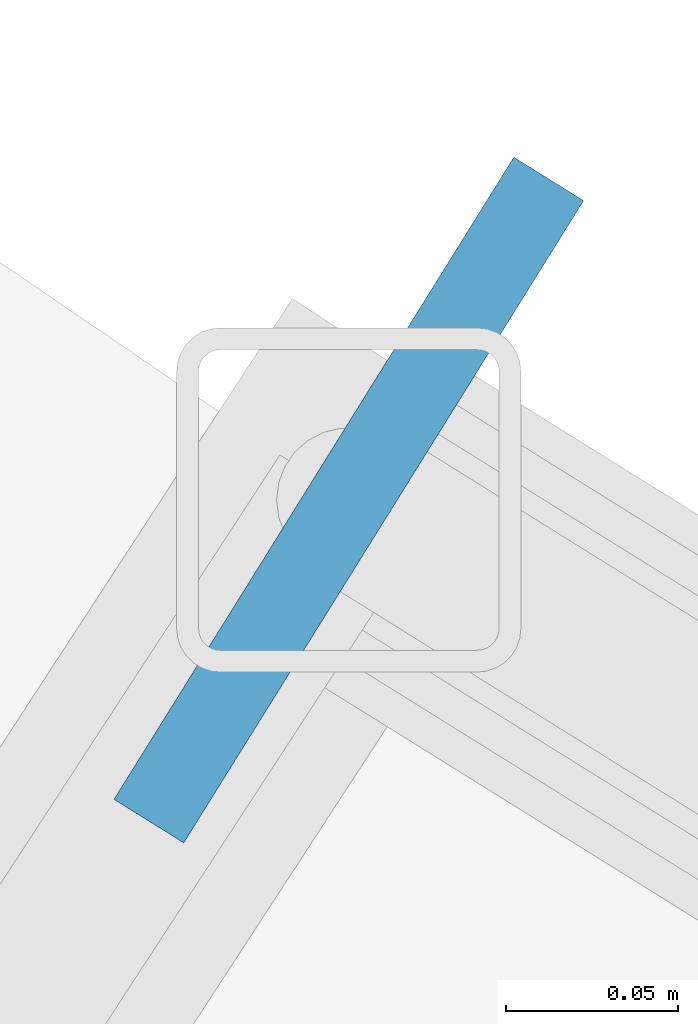
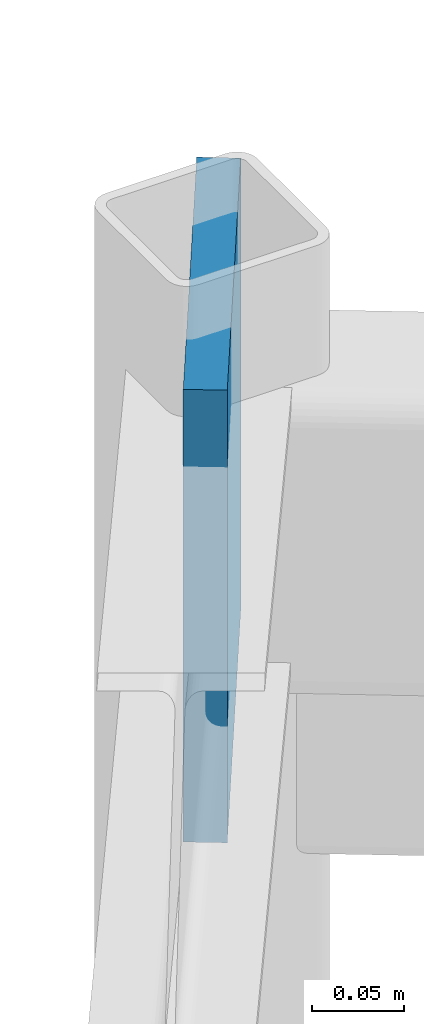
# One storey, part 69 of 123: 1 plate.
"""IFC4 building model written with IfcOpenShell, lengths in metres."""

from ifc_helpers import new_model, si_unit, direction, frame, origin, origin_2d, place, context, subcontext, project, spatial, rectangle, extrude, material, layer, layer_set, type_object, element, save


model = new_model("IFC4")

# Units and contexts
model_context = context("Model", 3, precision=1e-05, world=origin(), true_north=direction((0.0, 1.0)))
body_context = subcontext(model_context, "Body", "Model", "MODEL_VIEW")
ifc_project = project(units=[si_unit("LENGTHUNIT", "METRE"), si_unit("AREAUNIT", "SQUARE_METRE"), si_unit("VOLUMEUNIT", "CUBIC_METRE"), si_unit("PLANEANGLEUNIT", "RADIAN"), si_unit("MASSUNIT", "GRAM", prefix="KILO"), si_unit("POWERUNIT", "WATT"), si_unit("THERMODYNAMICTEMPERATUREUNIT", "KELVIN")], contexts=[model_context])

# Site, building, storey
site_placement = place(None, origin())
site = spatial("IfcSite", under=ifc_project, at=site_placement, CompositionType="ELEMENT")
building_placement = place(site_placement, origin())
building = spatial("IfcBuilding", under=site, at=building_placement, Name="Ruvembo Vaulted Housing Court", CompositionType="ELEMENT")
storey_placement = place(building_placement, frame((0.0, 0.0, 7.699951171875)))
storey = spatial("IfcBuildingStorey", under=building, at=storey_placement, Name="L02", CompositionType="ELEMENT", Elevation=7.699951171875)

# Plate
ifc_material = material(Name="Steel S355J2", Category="steel")
ifc_layer = layer(ifc_material, 0.01611328125, Name="Steel S355J2")
ifc_layer_set = layer_set([ifc_layer], Name="Steel S355J2")
plate_type = type_object("IfcPlateType", Name="PL-NODE-GUSSET-16", PredefinedType="USERDEFINED", material=ifc_layer_set)
plate_placement = place(storey_placement, frame((43.99462890625, 23.62841796875, 2.68994140625), z_axis=(0.0, 0.0, 1.0), x_axis=(0.848897895443, -0.528556868381, 0.0)))
element("IfcPlate", 1, at=plate_placement, inside=storey, type_object=plate_type, Name="Scoop SC2 L02 Hollow Spandrel End Cap Plate 0", ObjectType="GUSSET_PLATE", PredefinedType="USERDEFINED", context=body_context, shape_type="SweptSolid", body=[
    extrude(rectangle(XDim=0.02392578125, YDim=0.219970703125, at=origin_2d()), origin(), (0.0, 0.0, 1.0), 0.300048828125),
])

save(model, "model.ifc")
